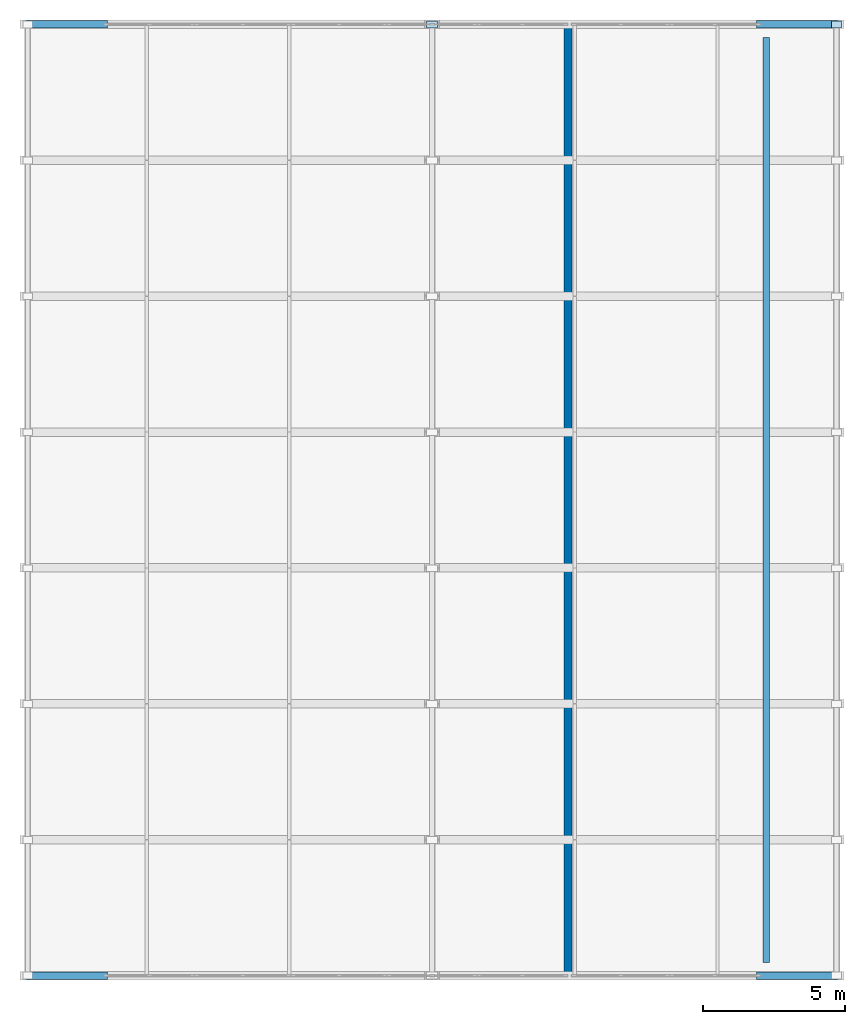
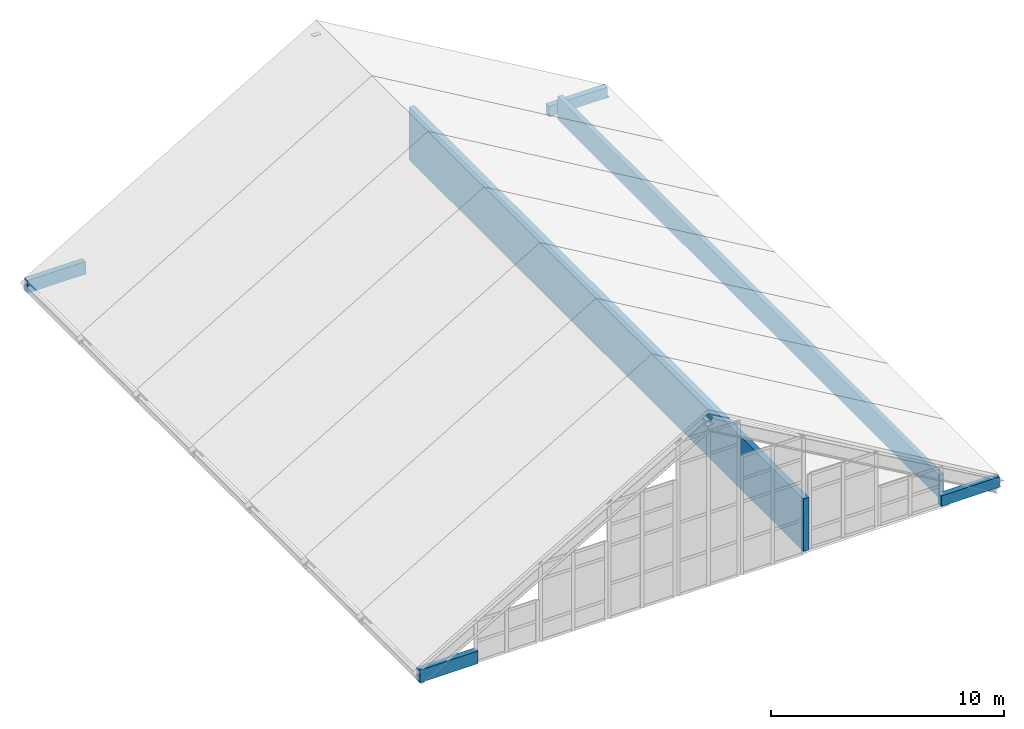
# One storey, part 7 of 7: 6 walls, 2 plates.
"""IFC4 building model written with IfcOpenShell, lengths in metres."""

import ifcopenshell
import ifcopenshell.guid

model = None  # the IFC model being written
_history = None  # IfcOwnerHistory: only IFC2X3 demands one
_inside = {}  # id of a spatial element -> (the spatial element, [elements in it])
_under = {}  # id of a project, library or spatial element -> (it, [spatial elements below it])
_declared = {}  # id of a project -> (the project, [libraries it declares])
_typed = {}  # id of a type object -> (the type object, [elements of that type])
_made_of = {}  # id of a material, layer set ... -> (it, [elements and type objects made of it])


def new_model(schema):
    """Start an empty IFC model of exactly this schema.

    Asked for "IFC4X3", IfcOpenShell would pick the latest addendum, in which some entities
    have other attributes; the version numbers below select the first issue.
    IFC2X3 requires an IfcOwnerHistory on every rooted entity: one is made here for all.
    """
    global model, _history
    if schema == "IFC4X3":
        model = ifcopenshell.file(schema_version=(4, 3, 0, 0))
    else:
        model = ifcopenshell.file(schema=schema)
    _inside.clear()
    _under.clear()
    _declared.clear()
    _typed.clear()
    _made_of.clear()
    _history = None
    if model.schema == "IFC2X3":
        org = make("IfcOrganization", Name="unknown")
        user = make(
            "IfcPersonAndOrganization",
            ThePerson=make("IfcPerson", FamilyName="unknown"),
            TheOrganization=org,
        )
        app = make(
            "IfcApplication",
            ApplicationDeveloper=org,
            Version="unknown",
            ApplicationFullName="unknown",
            ApplicationIdentifier="unknown",
        )
        _history = make(
            "IfcOwnerHistory",
            OwningUser=user,
            OwningApplication=app,
            ChangeAction="ADDED",
            CreationDate=0,
        )
    return model


def make(cls, **values):
    """One entity of the class cls with the attributes given. An attribute that is None is left unset."""
    return model.create_entity(
        cls, **{name: value for name, value in values.items() if value is not None}
    )


def rooted(cls, **values):
    """An entity with a GlobalId (a new one), such as an element, a storey or a relation."""
    return make(cls, GlobalId=ifcopenshell.guid.new(), OwnerHistory=_history, **values)


def si_unit(unit_type, name, prefix=None):
    """IfcSIUnit, for example si_unit("LENGTHUNIT", "METRE", prefix="MILLI")."""
    return make("IfcSIUnit", UnitType=unit_type, Prefix=prefix, Name=name)


def assignment(units):
    """IfcUnitAssignment: the units of a project."""
    return None if units is None else make("IfcUnitAssignment", Units=units)


def point(xyz):
    """IfcCartesianPoint."""
    return None if xyz is None else make("IfcCartesianPoint", Coordinates=xyz)


def direction(xyz):
    """IfcDirection."""
    return None if xyz is None else make("IfcDirection", DirectionRatios=xyz)


def frame(location, z_axis=None, x_axis=None):
    """IfcAxis2Placement3D, a coordinate frame: its origin and axes. An axis left out is left unset."""
    return make(
        "IfcAxis2Placement3D",
        Location=point(location),
        Axis=direction(z_axis),
        RefDirection=direction(x_axis),
    )


def frame_2d(location, x_axis=None):
    """IfcAxis2Placement2D, a coordinate frame in the plane: its origin and x axis."""
    return make(
        "IfcAxis2Placement2D", Location=point(location), RefDirection=direction(x_axis)
    )


def origin():
    """The frame at (0, 0, 0) with its axes left unset."""
    return frame((0.0, 0.0, 0.0))


def origin_2d():
    """The frame at (0, 0) in the plane with its x axis left unset."""
    return frame_2d((0.0, 0.0))


def place(relative_to, where):
    """IfcLocalPlacement: puts the frame where relative to a parent placement (None: the world)."""
    return make(
        "IfcLocalPlacement", PlacementRelTo=relative_to, RelativePlacement=where
    )


def context(
    kind, dimensions, precision=None, world=None, true_north=None, identifier=None
):
    """IfcGeometricRepresentationContext, for example the 3D "Model" context."""
    return make(
        "IfcGeometricRepresentationContext",
        ContextIdentifier=identifier,
        ContextType=kind,
        CoordinateSpaceDimension=dimensions,
        Precision=precision,
        WorldCoordinateSystem=world,
        TrueNorth=true_north,
    )


def subcontext(parent, identifier, kind, view, scale=None):
    """IfcGeometricRepresentationSubContext, for example "Body" below "Model"."""
    return make(
        "IfcGeometricRepresentationSubContext",
        ContextIdentifier=identifier,
        ContextType=kind,
        ParentContext=parent,
        TargetScale=scale,
        TargetView=view,
    )


def project(units=None, contexts=None):
    """IfcProject with its units and contexts."""
    return rooted(
        "IfcProject",
        Name="project",
        RepresentationContexts=contexts,
        UnitsInContext=assignment(units),
    )


def spatial(cls, under=None, at=None, **own):
    """A site, building, storey or space (cls), placed at a placement, below another one or the project."""
    s = rooted(cls, ObjectPlacement=at, **own)
    if under is not None:
        _under.setdefault(under.id(), (under, []))[1].append(s)
    return s


def profile(cls, at=None, kind="AREA", **sizes):
    """A parametric profile (cls). Its sizes go by their IFC names, for example OverallWidth=200.0."""
    return make(cls, ProfileType=kind, Position=at, **sizes)


def rectangle(**sizes):
    """IfcRectangleProfileDef."""
    return profile("IfcRectangleProfileDef", **sizes)


def extrude(swept, where, along, depth):
    """IfcExtrudedAreaSolid: the profile swept, set in the frame where, extruded along a direction by depth."""
    return make(
        "IfcExtrudedAreaSolid",
        SweptArea=swept,
        Position=where,
        ExtrudedDirection=direction(along),
        Depth=depth,
    )


def shape(context_of_items, identifier, shape_type, items):
    """IfcShapeRepresentation: the items that make up one representation, for example the "Body"."""
    return make(
        "IfcShapeRepresentation",
        ContextOfItems=context_of_items,
        RepresentationIdentifier=identifier,
        RepresentationType=shape_type,
        Items=items,
    )


def material(Name=None, Category=None):
    """IfcMaterial."""
    return make("IfcMaterial", Name=Name, Category=Category)


def layer(
    of_material, thickness, ventilated=None, Name=None, Category=None, Priority=None
):
    """IfcMaterialLayer: one layer of a wall or slab, of a material (None: an air gap)."""
    return make(
        "IfcMaterialLayer",
        Material=of_material,
        LayerThickness=thickness,
        IsVentilated=ventilated,
        Name=Name,
        Category=Category,
        Priority=Priority,
    )


def layer_set(layers, Name=None):
    """IfcMaterialLayerSet."""
    return make("IfcMaterialLayerSet", MaterialLayers=layers, LayerSetName=Name)


def made_of(thing, what):
    """Note that an element or type object is made of a material, layer set ...; save() writes the relation."""
    if what is not None:
        _made_of.setdefault(what.id(), (what, []))[1].append(thing)
    return thing


def type_object(cls, material=None, **own):
    """A type object (cls), such as IfcWallType, which elements share."""
    return made_of(rooted(cls, **own), material)


def element(
    cls,
    number,
    at=None,
    inside=None,
    cuts=None,
    type_object=None,
    material=None,
    context=None,
    identifier="Body",
    shape_type=None,
    held_by="IfcProductDefinitionShape",
    body=None,
    shapes=None,
    **own,
):
    """One element of the class cls, such as IfcWall. Its Tag is "e" and its number.

    at: its placement. inside: the storey or other place that contains it. cuts: it is an
    opening in that element (IfcRelVoidsElement). A single representation is given by context,
    identifier, shape_type and body (its items); several are given by shapes. held_by: the class
    of the entity that holds the representations. save() writes the other relations.
    """
    e = rooted(cls, Tag="e%d" % number, ObjectPlacement=at, **own)
    if body is not None:
        shapes = [shape(context, identifier, shape_type, body)]
    if shapes is not None:
        e.Representation = make(held_by, Representations=shapes)
    if inside is not None:
        _inside.setdefault(inside.id(), (inside, []))[1].append(e)
    if cuts is not None:
        rooted(
            "IfcRelVoidsElement", RelatingBuildingElement=cuts, RelatedOpeningElement=e
        )
    if type_object is not None:
        _typed.setdefault(type_object.id(), (type_object, []))[1].append(e)
    return made_of(e, material)


def aggregate(whole, parts):
    """IfcRelAggregates: a whole, such as a stair, and the parts it consists of."""
    return rooted("IfcRelAggregates", RelatingObject=whole, RelatedObjects=parts)


def save(model, path):
    """Write the relations noted so far, then the file.

    IfcRelAggregates (storeys below a building ...), IfcRelContainedInSpatialStructure (elements
    in a storey), IfcRelDefinesByType, IfcRelAssociatesMaterial and IfcRelDeclares: one each for
    every whole, place, type object, material and project.
    """
    for whole, parts in _under.values():
        aggregate(whole, parts)
    for where, things in _inside.values():
        rooted(
            "IfcRelContainedInSpatialStructure",
            RelatedElements=things,
            RelatingStructure=where,
        )
    for kind, things in _typed.values():
        rooted("IfcRelDefinesByType", RelatedObjects=things, RelatingType=kind)
    for what, things in _made_of.values():
        rooted("IfcRelAssociatesMaterial", RelatedObjects=things, RelatingMaterial=what)
    for by, libraries in _declared.values():
        rooted("IfcRelDeclares", RelatingContext=by, RelatedDefinitions=libraries)
    model.write(path)


model = new_model("IFC4")

# Units and contexts
model_context = context("Model", 3, precision=1e-05, world=origin(), true_north=direction((0.0, 1.0)))
body_context = subcontext(model_context, "Body", "Model", "MODEL_VIEW")
ifc_project = project(units=[si_unit("LENGTHUNIT", "METRE"), si_unit("AREAUNIT", "SQUARE_METRE"), si_unit("VOLUMEUNIT", "CUBIC_METRE"), si_unit("PLANEANGLEUNIT", "RADIAN"), si_unit("MASSUNIT", "GRAM", prefix="KILO")], contexts=[model_context])

# Site, building, storey
site_placement = place(None, origin())
site = spatial("IfcSite", under=ifc_project, at=site_placement, CompositionType="ELEMENT")
building_placement = place(site_placement, origin())
building = spatial("IfcBuilding", under=site, at=building_placement, Name="Nordkorset Police Headquarters", CompositionType="ELEMENT")
storey_placement = place(building_placement, frame((0.0, 0.0, 36.050048828125)))
storey = spatial("IfcBuildingStorey", under=building, at=storey_placement, Name="RF", CompositionType="ELEMENT", Elevation=36.050048828125)

# Plates
ifc_material_1 = material(Name="Steel S355J2", Category="steel")
ifc_layer_1 = layer(ifc_material_1, 0.02001953125, Name="Steel S355J2")
ifc_layer_set_1 = layer_set([ifc_layer_1], Name="Steel S355J2")
plate_type = type_object("IfcPlateType", Name="SteelPlate_20mm", PredefinedType="SHEET", material=ifc_layer_set_1)
plate_1_placement = place(storey_placement, frame((14.39990234375, 116.79296875, 8.239990234375), z_axis=(0.0, 0.0, 1.0), x_axis=(1.0, 0.0, 0.0)))
element("IfcPlate", 1, at=plate_1_placement, inside=storey, type_object=plate_type, Name="Hollow Section End Cap Plate CHD-V1-RDG-6-1", PredefinedType="SHEET", context=body_context, shape_type="SweptSolid", body=[
    extrude(rectangle(XDim=0.389892578125, YDim=0.239990234375, at=origin_2d()), origin(), (0.0, 0.0, 1.0), 0.02001953125),
])
plate_2_placement = place(storey_placement, frame((28.679931640625, 116.79296875, -0.02001953125), z_axis=(0.0, 0.0, 1.0), x_axis=(1.0, 0.0, 0.0)))
element("IfcPlate", 2, at=plate_2_placement, inside=storey, type_object=plate_type, Name="Hollow Section End Cap Plate CHD-V1-EAV-E-6-1", PredefinedType="SHEET", context=body_context, shape_type="SweptSolid", body=[
    extrude(rectangle(XDim=0.340087890625, YDim=0.239990234375, at=origin_2d()), origin(), (0.0, 0.0, 1.0), 0.02001953125),
])

# Walls
ifc_material_2 = material(Name="Precast concrete C40/50", Category="concrete")
ifc_layer_2 = layer(ifc_material_2, 0.280029296875, Name="Precast concrete C40/50")
ifc_layer_set_2 = layer_set([ifc_layer_2], Name="Precast concrete C40/50")
wall_type_1 = type_object("IfcWallType", Name="Wall_ExtSpandrel_280", PredefinedType="SOLIDWALL", material=ifc_layer_set_2)
wall_1_placement = place(storey_placement, frame((19.199951171875, 83.10009765625, 0.0), z_axis=(0.0, 0.0, 1.0), x_axis=(0.0, 1.0, 0.0)))
element("IfcWall", 3, at=wall_1_placement, inside=storey, type_object=wall_type_1, Name="Exterior Insulated Precast Wall RF RF-W", PredefinedType="SOLIDWALL", context=body_context, shape_type="SweptSolid", body=[
    extrude(rectangle(XDim=33.7998046875, YDim=0.280029296875, at=frame_2d((16.89990234375, 0.0))), origin(), (0.0, 0.0, 1.0), 2.75),
])
wall_2_placement = place(storey_placement, frame((0.06005859375, 116.800048828125, -0.18994140625), z_axis=(0.0, 0.0, 1.0), x_axis=(1.0, 0.0, 0.0)))
element("IfcWall", 4, at=wall_2_placement, inside=storey, type_object=wall_type_1, Name="Exterior Insulated Precast Wall RF V1GBL-N-G0", PredefinedType="SOLIDWALL", context=body_context, shape_type="SweptSolid", body=[
    extrude(rectangle(XDim=2.8798828125, YDim=0.280029296875, at=frame_2d((1.43994140625, 0.0))), origin(), (0.0, 0.0, 1.0), 0.662353515625),
])
wall_3_placement = place(storey_placement, frame((25.860107421875, 116.800048828125, 0.0), z_axis=(0.0, 0.0, 1.0), x_axis=(1.0, 0.0, 0.0)))
element("IfcWall", 5, at=wall_3_placement, inside=storey, type_object=wall_type_1, Name="Exterior Insulated Precast Wall RF V1GBL-N-G8", PredefinedType="SOLIDWALL", context=body_context, shape_type="SweptSolid", body=[
    extrude(rectangle(XDim=2.8798828125, YDim=0.280029296875, at=frame_2d((1.43994140625, 0.0))), origin(), (0.0, 0.0, 1.0), 0.550048828125),
])
wall_4_placement = place(storey_placement, frame((0.06005859375, 83.199951171875, -0.18994140625), z_axis=(0.0, 0.0, 1.0), x_axis=(1.0, 0.0, 0.0)))
element("IfcWall", 6, at=wall_4_placement, inside=storey, type_object=wall_type_1, Name="Exterior Insulated Precast Wall RF V1GBL-S-G0", PredefinedType="SOLIDWALL", context=body_context, shape_type="SweptSolid", body=[
    extrude(rectangle(XDim=2.8798828125, YDim=0.280029296875, at=frame_2d((1.43994140625, 0.0))), origin(), (0.0, 0.0, 1.0), 0.662353515625),
])
wall_5_placement = place(storey_placement, frame((25.860107421875, 83.199951171875, 0.0), z_axis=(0.0, 0.0, 1.0), x_axis=(1.0, 0.0, 0.0)))
element("IfcWall", 7, at=wall_5_placement, inside=storey, type_object=wall_type_1, Name="Exterior Insulated Precast Wall RF V1GBL-S-G8", PredefinedType="SOLIDWALL", context=body_context, shape_type="SweptSolid", body=[
    extrude(rectangle(XDim=2.8798828125, YDim=0.280029296875, at=frame_2d((1.43994140625, 0.0))), origin(), (0.0, 0.0, 1.0), 0.550048828125),
])
ifc_material_3 = material(Name="Precast concrete C40/50", Category="concrete")
ifc_layer_3 = layer(ifc_material_3, 0.239990234375, Name="Precast concrete C40/50")
ifc_layer_set_3 = layer_set([ifc_layer_3], Name="Precast concrete C40/50")
wall_type_2 = type_object("IfcWallType", Name="Wall_Parapet_240", PredefinedType="PARAPET", material=ifc_layer_set_3)
wall_6_placement = place(storey_placement, frame((26.199951171875, 83.659912109375, 0.0), z_axis=(0.0, 0.0, 1.0), x_axis=(0.0, 1.0, 0.0)))
element("IfcWall", 8, at=wall_6_placement, inside=storey, type_object=wall_type_2, Name="Roof Headhouse East Parapet Wall", PredefinedType="PARAPET", context=body_context, shape_type="SweptSolid", body=[
    extrude(rectangle(XDim=32.68017578125, YDim=0.239990234375, at=frame_2d((16.340087890625, 0.0))), origin(), (0.0, 0.0, 1.0), 1.199951171875),
])

save(model, "model.ifc")
